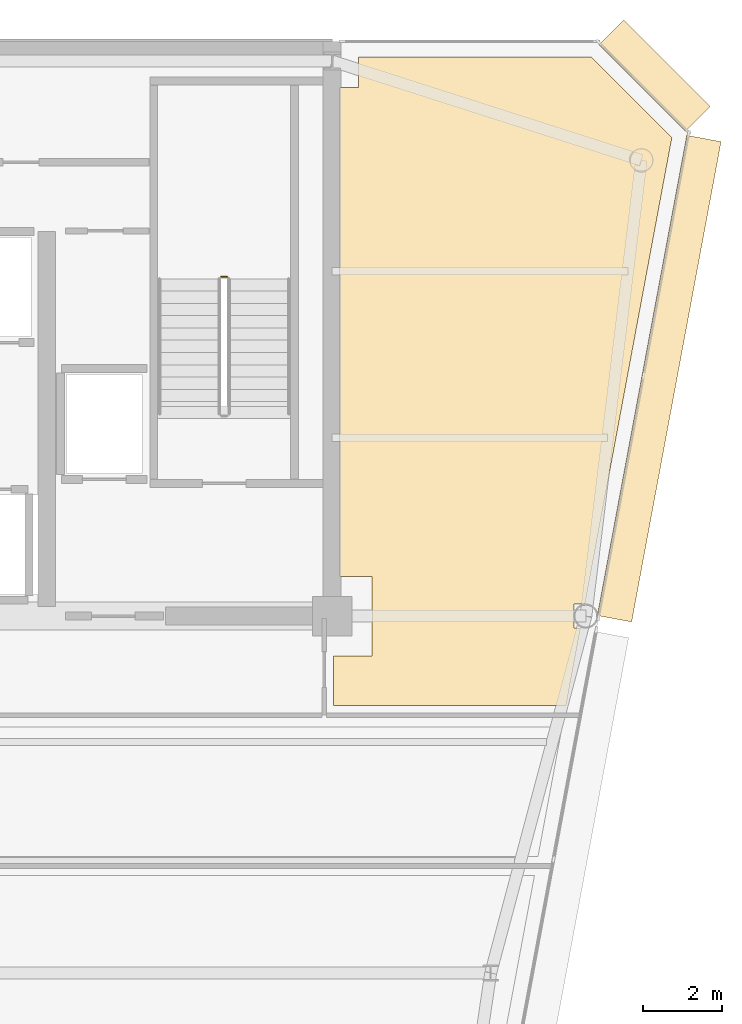
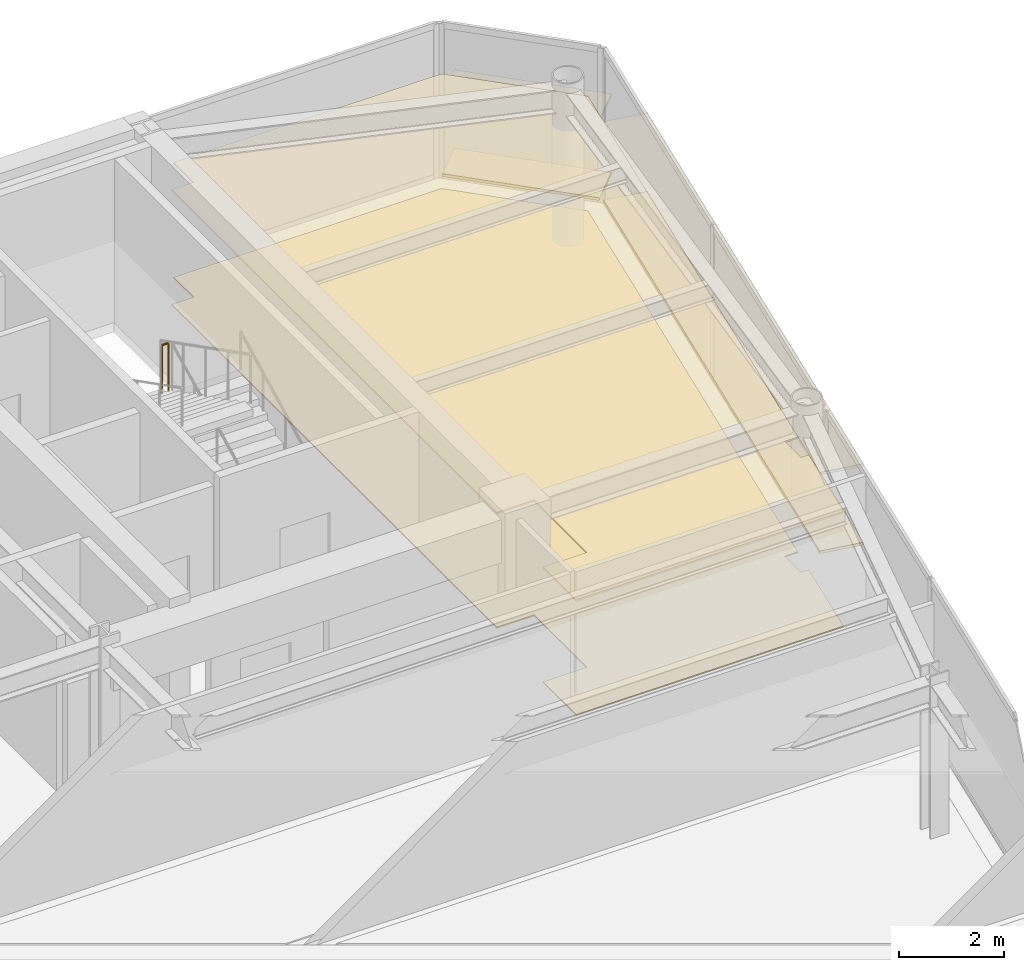
# One storey, part 18 of 18: 6 coverings, 1 railing.
"""IFC4 building model written with IfcOpenShell, lengths in metres."""

from ifc_helpers import new_model, si_unit, direction, frame, origin, origin_2d, place, context, subcontext, project, spatial, polyline, rectangle, circle, outline, extrude, source, transform, mapped, material, layer, layer_set, type_object, element, save


model = new_model("IFC4")

# Units and contexts
model_context = context("Model", 3, precision=1e-05, world=origin(), true_north=direction((0.0, 1.0)))
body_context = subcontext(model_context, "Body", "Model", "MODEL_VIEW")
ifc_project = project(units=[si_unit("LENGTHUNIT", "METRE"), si_unit("AREAUNIT", "SQUARE_METRE"), si_unit("VOLUMEUNIT", "CUBIC_METRE"), si_unit("PLANEANGLEUNIT", "RADIAN"), si_unit("MASSUNIT", "GRAM", prefix="KILO")], contexts=[model_context])

# Site, building, storey
site_placement = place(None, origin())
site = spatial("IfcSite", under=ifc_project, at=site_placement, CompositionType="ELEMENT")
building_placement = place(site_placement, origin())
building = spatial("IfcBuilding", under=site, at=building_placement, Name="Vaeldorn Concourse Tower", CompositionType="ELEMENT")
storey_placement = place(building_placement, frame((0.0, 0.0, 246.0)))
storey = spatial("IfcBuildingStorey", under=building, at=storey_placement, Name="L63", CompositionType="ELEMENT", Elevation=246.0)

# Coverings
ifc_material_1 = material(Name="Acoustic Mineral Fibre Board", Category="gypsum")
ifc_layer_1 = layer(ifc_material_1, 0.0400390625)
ifc_layer_set_1 = layer_set([ifc_layer_1], Name="Acoustic Mineral Fibre Board")
covering_type_1 = type_object("IfcCoveringType", Name="COV-CEIL-ACOUSTIC", PredefinedType="CEILING", material=ifc_layer_set_1)
covering_1_placement = place(storey_placement, frame((0.0, 0.0, 2.64990234375)))
element("IfcCovering", 1, at=covering_1_placement, inside=storey, type_object=covering_type_1, Name="Suspended Acoustic Ceiling L63-4", PredefinedType="CEILING", context=body_context, shape_type="SweptSolid", body=[
    extrude(outline(polyline([(54.179931640625, 49.840087890625), (54.659912109375, 49.840087890625), (54.659912109375, 50.60009765625), (60.5341796875, 50.60009765625), (62.568115234375, 48.566162109375), (60.378173828125, 36.804931640625), (60.094970703125, 36.804931640625), (60.094970703125, 36.195068359375), (60.2646484375, 36.195068359375), (59.900634765625, 34.239990234375), (54.0400390625, 34.239990234375), (54.0400390625, 35.5), (55.0, 35.5), (55.0, 37.5), (54.179931640625, 37.5), (54.179931640625, 49.840087890625)])), origin(), (0.0, 0.0, 1.0), 0.0400390625),
])
ifc_material_2 = material(Name="Honed Limestone Terrazzo Flooring", Category="masonry")
ifc_layer_2 = layer(ifc_material_2, 0.0400390625)
ifc_layer_set_2 = layer_set([ifc_layer_2], Name="Honed Limestone Terrazzo Flooring")
covering_type_2 = type_object("IfcCoveringType", Name="COV-FLOOR-STONE", PredefinedType="FLOORING", material=ifc_layer_set_2)
covering_2_placement = place(storey_placement, origin())
element("IfcCovering", 2, at=covering_2_placement, inside=storey, type_object=covering_type_2, Name="Floor Finish Covering L63-4", PredefinedType="FLOORING", context=body_context, shape_type="SweptSolid", body=[
    extrude(outline(polyline([(54.179931640625, 49.840087890625), (54.659912109375, 49.840087890625), (54.659912109375, 50.60009765625), (60.5341796875, 50.60009765625), (62.568115234375, 48.566162109375), (60.378173828125, 36.804931640625), (60.094970703125, 36.804931640625), (60.094970703125, 36.195068359375), (60.2646484375, 36.195068359375), (59.900634765625, 34.239990234375), (54.0400390625, 34.239990234375), (54.0400390625, 35.5), (55.0, 35.5), (55.0, 37.5), (54.179931640625, 37.5), (54.179931640625, 49.840087890625)])), origin(), (0.0, 0.0, 1.0), 0.030029296875),
])

# Railing
ifc_material_3 = material(Name="Anodised Bronze Aluminium", Category="aluminium")
railing_type = type_object("IfcRailingType", Name="RL-STAIR-GUARD", PredefinedType="GUARDRAIL", material=ifc_material_3)
railing_placement = place(storey_placement, frame((51.35009765625, 45.06005859375, 1.89990234375)))
element("IfcRailing", 3, at=railing_placement, inside=storey, type_object=railing_type, Name="L63 ST-2 stair guard 2", PredefinedType="GUARDRAIL", context=body_context, shape_type="SweptSolid", body=[
    extrude(circle(Radius=0.02392578125, at=origin_2d()), frame((0.0, 0.0, 1.1259765625), z_axis=(-1.0, 0.0, 0.0), x_axis=(0.0, -1.0, 0.0)), (0.0, 0.0, 1.0), 0.150146484375),
    extrude(circle(Radius=0.02099609375, at=origin_2d()), origin(), (0.0, 0.0, 1.0), 1.101806640625),
    extrude(circle(Radius=0.02099609375, at=origin_2d()), frame((-0.150146484375, 0.0, 0.0)), (0.0, 0.0, 1.0), 1.101806640625),
])

# Coverings
ifc_layer_3 = layer(ifc_material_3, 0.06494140625)
ifc_layer_set_3 = layer_set([ifc_layer_3], Name="Anodised Bronze Aluminium")
covering_type_3 = type_object("IfcCoveringType", Name="SD-BRONZE-SUNSHADE", PredefinedType="USERDEFINED", material=ifc_layer_set_3)
shared_shape_1 = source(origin(), body_context, "Body", "SweptSolid", [
    extrude(rectangle(XDim=3.0927734375, YDim=0.8798828125, at=origin_2d()), origin(), (0.0, 0.0, 1.0), 0.06494140625),
])
for number, where, z_axis, x_axis, name in (
    (4, (62.1328125, 50.1328125, 0.047607421875), (0.0, 0.0, 1.0), (-0.707106781187, 0.707106781187, 0.0), "Horizontal Bronze Sunshade L63-E08.1.1"),
    (5, (62.1328125, 50.1328125, 1.867431640625), (0.0, 0.0, 1.0), (-0.707106781187, 0.707106781187, 0.0), "Horizontal Bronze Sunshade L63-E08.1.2"),
):
    element("IfcCovering", number, at=place(storey_placement, frame(where, z_axis=z_axis, x_axis=x_axis)), inside=storey, type_object=covering_type_3, Name=name, ObjectType="SUNSHADE", PredefinedType="USERDEFINED", context=body_context, shape_type="MappedRepresentation", body=[
        mapped(shared_shape_1, transform((0.0, 0.0, 0.0), scale=1.0)),
    ])
shared_shape_2 = source(origin(), body_context, "Body", "SweptSolid", [
    extrude(rectangle(XDim=12.322509765625, YDim=0.8798828125, at=origin_2d()), origin(), (0.0, 0.0, 1.0), 0.06494140625),
])
for number, where, z_axis, x_axis, name in (
    (6, (62.250732421875, 42.490966796875, 0.047607421875), (0.0, 0.0, 1.0), (0.183059191151, 0.983101893262, 0.0), "Horizontal Bronze Sunshade L63-E07.2.1"),
    (7, (62.250732421875, 42.490966796875, 1.867431640625), (0.0, 0.0, 1.0), (0.183059191151, 0.983101893262, 0.0), "Horizontal Bronze Sunshade L63-E07.2.2"),
):
    element("IfcCovering", number, at=place(storey_placement, frame(where, z_axis=z_axis, x_axis=x_axis)), inside=storey, type_object=covering_type_3, Name=name, ObjectType="SUNSHADE", PredefinedType="USERDEFINED", context=body_context, shape_type="MappedRepresentation", body=[
        mapped(shared_shape_2, transform((0.0, 0.0, 0.0), scale=1.0)),
    ])

save(model, "model.ifc")
